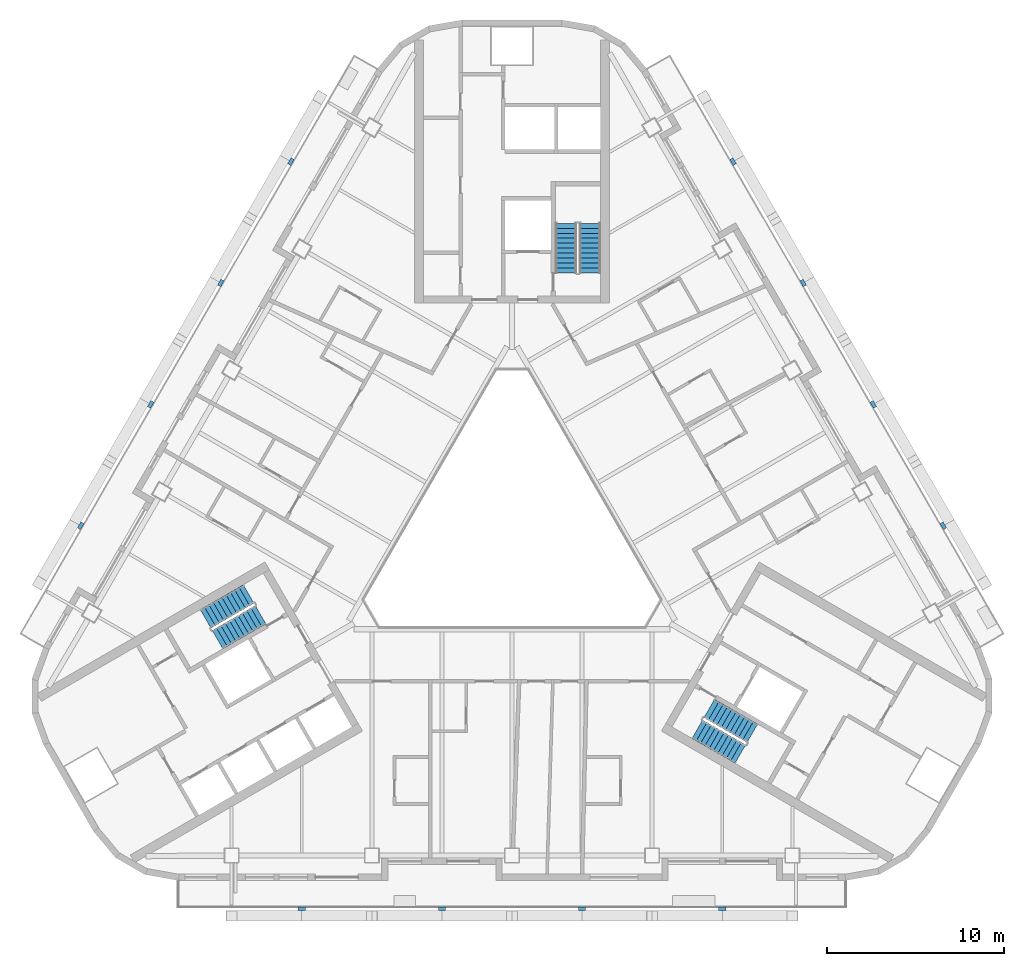
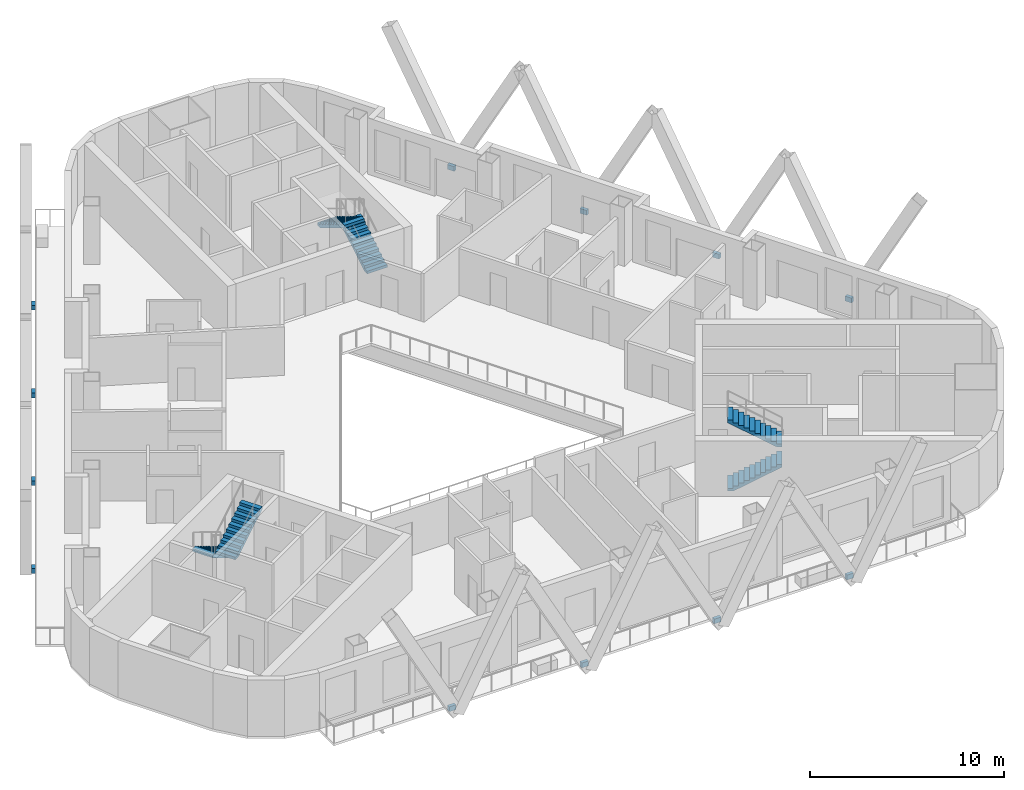
# One storey, part 8 of 14: 12 discrete accessories, 6 stair flights, 3 elements without a shape of their own.
"""IFC4 building model written with IfcOpenShell, lengths in metres."""

from ifc_helpers import new_model, si_unit, direction, frame, origin, origin_2d, place, context, subcontext, project, spatial, polyline, rectangle, outline, extrude, material, type_object, element, aggregate, save


model = new_model("IFC4")

# Units and contexts
model_context = context("Model", 3, precision=1e-05, world=origin(), true_north=direction((0.0, 1.0)))
body_context = subcontext(model_context, "Body", "Model", "MODEL_VIEW")
ifc_project = project(units=[si_unit("LENGTHUNIT", "METRE"), si_unit("AREAUNIT", "SQUARE_METRE"), si_unit("VOLUMEUNIT", "CUBIC_METRE"), si_unit("PLANEANGLEUNIT", "RADIAN"), si_unit("MASSUNIT", "GRAM", prefix="KILO")], contexts=[model_context])

# Site, building, storey
site_placement = place(None, origin())
site = spatial("IfcSite", under=ifc_project, at=site_placement, CompositionType="ELEMENT")
building_placement = place(site_placement, origin())
building = spatial("IfcBuilding", under=site, at=building_placement, Name="Apuvela Tower Hotel", CompositionType="ELEMENT")
storey_placement = place(building_placement, frame((0.0, 0.0, 154.0)))
storey = spatial("IfcBuildingStorey", under=building, at=storey_placement, Name="L36", CompositionType="ELEMENT", Elevation=154.0)

# Stair, stair flights
ifc_material_1 = material(Name="Concrete C50/60", Category="concrete")
stair_type = type_object("IfcStairType", Name="COR-STAIR-22R", PredefinedType="HALF_TURN_STAIR", material=ifc_material_1)
stair_1_placement = place(storey_placement, origin())
stair_1 = element("IfcStair", 1, at=stair_1_placement, inside=storey, type_object=stair_type, Name="L36 Exit stair ST1", PredefinedType="HALF_TURN_STAIR")
stair_flight_type = type_object("IfcStairFlightType", Name="COR-FLIGHT-11R", PredefinedType="STRAIGHT", material=ifc_material_1)
stair_flight_1_placement = place(storey_placement, frame((4.39990234375, 14.60009765625, 0.0), z_axis=(0.0, 0.0, 1.0), x_axis=(0.0, 1.0, 0.0)))
stair_flight_1 = element("IfcStairFlight", 2, at=stair_flight_1_placement, type_object=stair_flight_type, Name="ST1 flight 1", NumberOfRisers=11, NumberOfTreads=10, PredefinedType="STRAIGHT", RiserHeight=0.168181818, TreadLength=0.28, context=body_context, shape_type="SweptSolid", body=[
    extrude(outline(polyline([(0.0, 0.0), (0.0, 0.168212890625), (0.280029296875, 0.168212890625), (0.280029296875, 0.33642578125), (0.56005859375, 0.33642578125), (0.56005859375, 0.504638671875), (0.840087890625, 0.504638671875), (0.840087890625, 0.672607421875), (1.1201171875, 0.672607421875), (1.1201171875, 0.8408203125), (1.39990234375, 0.8408203125), (1.39990234375, 1.009033203125), (1.679931640625, 1.009033203125), (1.679931640625, 1.17724609375), (1.9599609375, 1.17724609375), (1.9599609375, 1.345458984375), (2.239990234375, 1.345458984375), (2.239990234375, 1.513671875), (2.52001953125, 1.513671875), (2.52001953125, 1.681884765625), (2.800048828125, 1.681884765625), (2.800048828125, 1.85009765625), (2.800048828125, 1.5068359375), (0.291015625, 0.0), (0.0, 0.0)])), frame((0.0, 0.60009765625, 0.0), z_axis=(0.0, -1.0, 0.0), x_axis=(1.0, 0.0, 0.0)), (0.0, 0.0, 1.0), 1.199951171875),
])
stair_flight_2_placement = place(storey_placement, frame((3.050048828125, 17.39990234375, 1.85009765625), z_axis=(0.0, 0.0, 1.0), x_axis=(0.0, -1.0, 0.0)))
stair_flight_2 = element("IfcStairFlight", 3, at=stair_flight_2_placement, type_object=stair_flight_type, Name="ST1 flight 2", NumberOfRisers=11, NumberOfTreads=10, PredefinedType="STRAIGHT", RiserHeight=0.168181818, TreadLength=0.28, context=body_context, shape_type="SweptSolid", body=[
    extrude(outline(polyline([(0.0, 0.0), (0.0, 0.168212890625), (0.280029296875, 0.168212890625), (0.280029296875, 0.33642578125), (0.56005859375, 0.33642578125), (0.56005859375, 0.504638671875), (0.840087890625, 0.504638671875), (0.840087890625, 0.672607421875), (1.1201171875, 0.672607421875), (1.1201171875, 0.8408203125), (1.39990234375, 0.8408203125), (1.39990234375, 1.009033203125), (1.679931640625, 1.009033203125), (1.679931640625, 1.17724609375), (1.9599609375, 1.17724609375), (1.9599609375, 1.345458984375), (2.239990234375, 1.345458984375), (2.239990234375, 1.513671875), (2.52001953125, 1.513671875), (2.52001953125, 1.681884765625), (2.800048828125, 1.681884765625), (2.800048828125, 1.85009765625), (2.800048828125, 1.5068359375), (0.291015625, 0.0), (0.0, 0.0)])), frame((0.0, 0.60009765625, 0.0), z_axis=(0.0, -1.0, 0.0), x_axis=(1.0, 0.0, 0.0)), (0.0, 0.0, 1.0), 1.199951171875),
])
aggregate(stair_1, [stair_flight_1, stair_flight_2])

stair_2_placement = place(storey_placement, origin())
stair_2 = element("IfcStair", 4, at=stair_2_placement, inside=storey, type_object=stair_type, Name="L36 Exit stair ST2", PredefinedType="HALF_TURN_STAIR")
stair_flight_3_placement = place(storey_placement, frame((-14.843994140625, -3.489501953125, 0.0), z_axis=(0.0, 0.0, 1.0), x_axis=(-0.866025403784, -0.5, 0.0)))
stair_flight_3 = element("IfcStairFlight", 5, at=stair_flight_3_placement, type_object=stair_flight_type, Name="ST2 flight 1", NumberOfRisers=11, NumberOfTreads=10, PredefinedType="STRAIGHT", RiserHeight=0.168181818, TreadLength=0.28, context=body_context, shape_type="SweptSolid", body=[
    extrude(outline(polyline([(0.0, 0.0), (0.0, 0.168212890625), (0.280029296875, 0.168212890625), (0.280029296875, 0.33642578125), (0.56005859375, 0.33642578125), (0.56005859375, 0.504638671875), (0.840087890625, 0.504638671875), (0.840087890625, 0.672607421875), (1.1201171875, 0.672607421875), (1.1201171875, 0.8408203125), (1.39990234375, 0.8408203125), (1.39990234375, 1.009033203125), (1.679931640625, 1.009033203125), (1.679931640625, 1.17724609375), (1.9599609375, 1.17724609375), (1.9599609375, 1.345458984375), (2.239990234375, 1.345458984375), (2.239990234375, 1.513671875), (2.52001953125, 1.513671875), (2.52001953125, 1.681884765625), (2.800048828125, 1.681884765625), (2.800048828125, 1.85009765625), (2.800048828125, 1.5068359375), (0.291015625, 0.0), (0.0, 0.0)])), frame((0.0, 0.60009765625, 0.0), z_axis=(0.0, -1.0, 0.0), x_axis=(1.0, 0.0, 0.0)), (0.0, 0.0, 1.0), 1.199951171875),
])
stair_flight_4_placement = place(storey_placement, frame((-16.59375, -6.05859375, 1.85009765625), z_axis=(0.0, 0.0, 1.0), x_axis=(0.866025403784, 0.5, 0.0)))
stair_flight_4 = element("IfcStairFlight", 6, at=stair_flight_4_placement, type_object=stair_flight_type, Name="ST2 flight 2", NumberOfRisers=11, NumberOfTreads=10, PredefinedType="STRAIGHT", RiserHeight=0.168181818, TreadLength=0.28, context=body_context, shape_type="SweptSolid", body=[
    extrude(outline(polyline([(0.0, 0.0), (0.0, 0.168212890625), (0.280029296875, 0.168212890625), (0.280029296875, 0.33642578125), (0.56005859375, 0.33642578125), (0.56005859375, 0.504638671875), (0.840087890625, 0.504638671875), (0.840087890625, 0.672607421875), (1.1201171875, 0.672607421875), (1.1201171875, 0.8408203125), (1.39990234375, 0.8408203125), (1.39990234375, 1.009033203125), (1.679931640625, 1.009033203125), (1.679931640625, 1.17724609375), (1.9599609375, 1.17724609375), (1.9599609375, 1.345458984375), (2.239990234375, 1.345458984375), (2.239990234375, 1.513671875), (2.52001953125, 1.513671875), (2.52001953125, 1.681884765625), (2.800048828125, 1.681884765625), (2.800048828125, 1.85009765625), (2.800048828125, 1.5068359375), (0.291015625, 0.0), (0.0, 0.0)])), frame((0.0, 0.60009765625, 0.0), z_axis=(0.0, -1.0, 0.0), x_axis=(1.0, 0.0, 0.0)), (0.0, 0.0, 1.0), 1.199951171875),
])
aggregate(stair_2, [stair_flight_3, stair_flight_4])

stair_3_placement = place(storey_placement, origin())
stair_3 = element("IfcStair", 7, at=stair_3_placement, inside=storey, type_object=stair_type, Name="L36 Exit stair ST3", PredefinedType="HALF_TURN_STAIR")
stair_flight_5_placement = place(storey_placement, frame((10.444091796875, -11.110595703125, 0.0), z_axis=(0.0, 0.0, 1.0), x_axis=(0.866025403784, -0.5, 0.0)))
stair_flight_5 = element("IfcStairFlight", 8, at=stair_flight_5_placement, type_object=stair_flight_type, Name="ST3 flight 1", NumberOfRisers=11, NumberOfTreads=10, PredefinedType="STRAIGHT", RiserHeight=0.168181818, TreadLength=0.28, context=body_context, shape_type="SweptSolid", body=[
    extrude(outline(polyline([(0.0, 0.0), (0.0, 0.168212890625), (0.280029296875, 0.168212890625), (0.280029296875, 0.33642578125), (0.56005859375, 0.33642578125), (0.56005859375, 0.504638671875), (0.840087890625, 0.504638671875), (0.840087890625, 0.672607421875), (1.1201171875, 0.672607421875), (1.1201171875, 0.8408203125), (1.39990234375, 0.8408203125), (1.39990234375, 1.009033203125), (1.679931640625, 1.009033203125), (1.679931640625, 1.17724609375), (1.9599609375, 1.17724609375), (1.9599609375, 1.345458984375), (2.239990234375, 1.345458984375), (2.239990234375, 1.513671875), (2.52001953125, 1.513671875), (2.52001953125, 1.681884765625), (2.800048828125, 1.681884765625), (2.800048828125, 1.85009765625), (2.800048828125, 1.5068359375), (0.291015625, 0.0), (0.0, 0.0)])), frame((0.0, 0.60009765625, 0.0), z_axis=(0.0, -1.0, 0.0), x_axis=(1.0, 0.0, 0.0)), (0.0, 0.0, 1.0), 1.199951171875),
])
stair_flight_6_placement = place(storey_placement, frame((13.5439453125, -11.34130859375, 1.85009765625), z_axis=(0.0, 0.0, 1.0), x_axis=(-0.866025403784, 0.5, 0.0)))
stair_flight_6 = element("IfcStairFlight", 9, at=stair_flight_6_placement, type_object=stair_flight_type, Name="ST3 flight 2", NumberOfRisers=11, NumberOfTreads=10, PredefinedType="STRAIGHT", RiserHeight=0.168181818, TreadLength=0.28, context=body_context, shape_type="SweptSolid", body=[
    extrude(outline(polyline([(0.0, 0.0), (0.0, 0.168212890625), (0.280029296875, 0.168212890625), (0.280029296875, 0.33642578125), (0.56005859375, 0.33642578125), (0.56005859375, 0.504638671875), (0.840087890625, 0.504638671875), (0.840087890625, 0.672607421875), (1.1201171875, 0.672607421875), (1.1201171875, 0.8408203125), (1.39990234375, 0.8408203125), (1.39990234375, 1.009033203125), (1.679931640625, 1.009033203125), (1.679931640625, 1.17724609375), (1.9599609375, 1.17724609375), (1.9599609375, 1.345458984375), (2.239990234375, 1.345458984375), (2.239990234375, 1.513671875), (2.52001953125, 1.513671875), (2.52001953125, 1.681884765625), (2.800048828125, 1.681884765625), (2.800048828125, 1.85009765625), (2.800048828125, 1.5068359375), (0.291015625, 0.0), (0.0, 0.0)])), frame((0.0, 0.60009765625, 0.0), z_axis=(0.0, -1.0, 0.0), x_axis=(1.0, 0.0, 0.0)), (0.0, 0.0, 1.0), 1.199951171875),
])
aggregate(stair_3, [stair_flight_5, stair_flight_6])

# Discrete accessories
ifc_material_2 = material(Name="Steel S355, black paint system", Category="steel")
discrete_accessory_type = type_object("IfcDiscreteAccessoryType", Name="ENV-FIN-BRACKET", PredefinedType="BRACKET", material=ifc_material_2)
for number, where, z_axis, x_axis, name in (
    (10, (24.310791015625, 0.3525390625, -0.25), (0.0, 0.0, 1.0), (-0.5, 0.866025403784, 0.0), "Fin bracket NE65"),
    (11, (20.360595703125, 7.194091796875, -0.25), (0.0, 0.0, 1.0), (-0.5, 0.866025403784, 0.0), "Fin bracket NE66"),
    (12, (16.41064453125, 14.035888671875, -0.25), (0.0, 0.0, 1.0), (-0.5, 0.866025403784, 0.0), "Fin bracket NE67"),
    (13, (12.460693359375, 20.87744140625, -0.25), (0.0, 0.0, 1.0), (-0.5, 0.866025403784, 0.0), "Fin bracket NE68"),
    (14, (-12.460693359375, 20.87744140625, -0.25), (0.0, 0.0, 1.0), (-0.5, -0.866025403784, 0.0), "Fin bracket NW214"),
    (15, (-16.41064453125, 14.035888671875, -0.25), (0.0, 0.0, 1.0), (-0.5, -0.866025403784, 0.0), "Fin bracket NW215"),
    (16, (-20.360595703125, 7.194091796875, -0.25), (0.0, 0.0, 1.0), (-0.5, -0.866025403784, 0.0), "Fin bracket NW216"),
    (17, (-24.310791015625, 0.3525390625, -0.25), (0.0, 0.0, 1.0), (-0.5, -0.866025403784, 0.0), "Fin bracket NW217"),
    (18, (-11.85009765625, -21.22998046875, -0.25), (0.0, 0.0, 1.0), (1.0, 0.0, 0.0), "Fin bracket S364"),
    (19, (-3.949951171875, -21.22998046875, -0.25), (0.0, 0.0, 1.0), (1.0, 0.0, 0.0), "Fin bracket S365"),
    (20, (3.949951171875, -21.22998046875, -0.25), (0.0, 0.0, 1.0), (1.0, 0.0, 0.0), "Fin bracket S366"),
    (21, (11.85009765625, -21.22998046875, -0.25), (0.0, 0.0, 1.0), (1.0, 0.0, 0.0), "Fin bracket S367"),
):
    element("IfcDiscreteAccessory", number, at=place(storey_placement, frame(where, z_axis=z_axis, x_axis=x_axis)), inside=storey, type_object=discrete_accessory_type, Name=name, PredefinedType="BRACKET", context=body_context, shape_type="SweptSolid", body=[
        extrude(rectangle(XDim=0.39990234375, YDim=0.199951171875, at=origin_2d()), origin(), (0.0, 0.0, 1.0), 0.300048828125),
    ])

save(model, "model.ifc")
